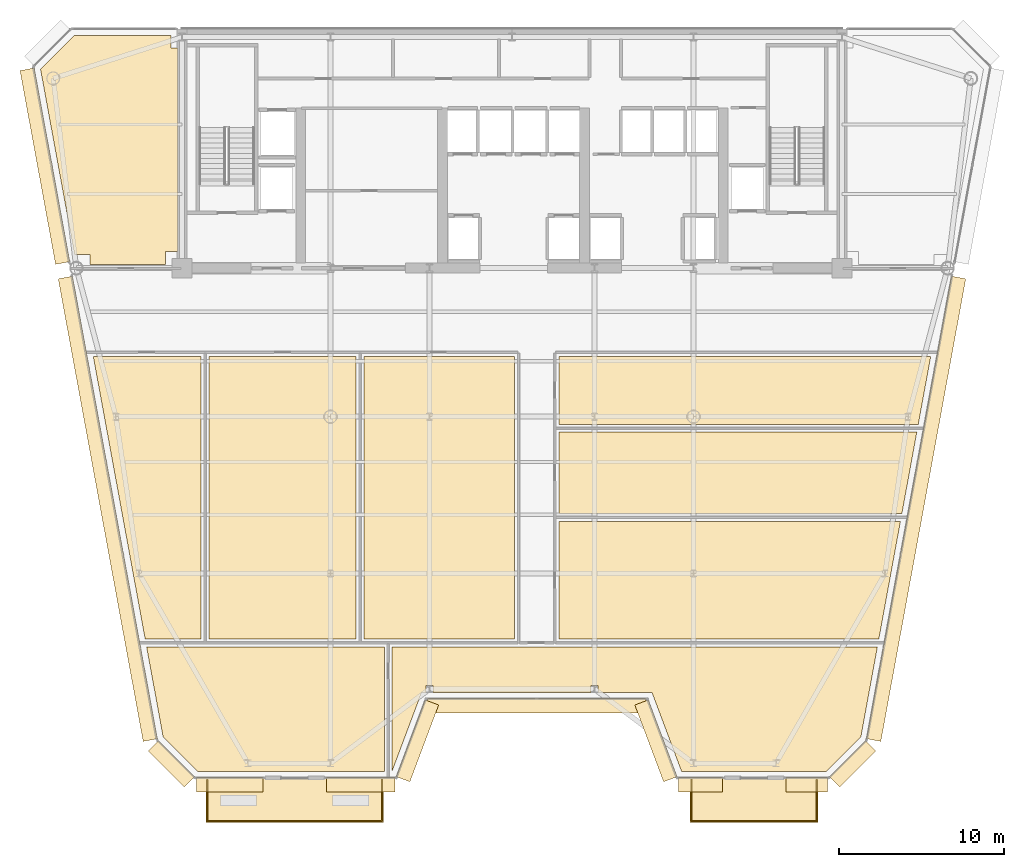
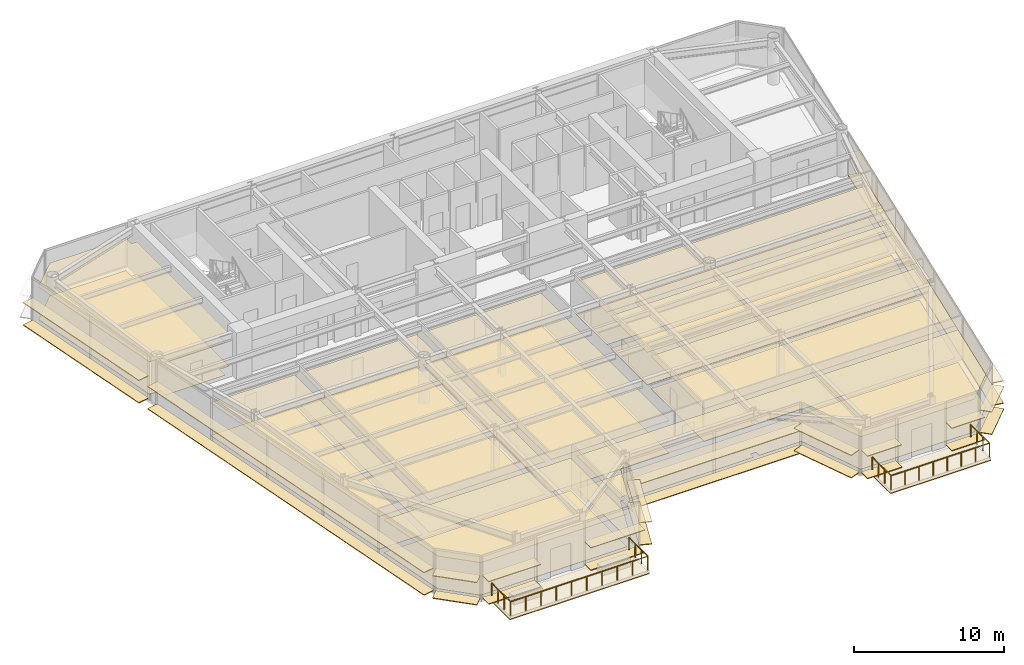
# One storey, part 14 of 17: 44 coverings, 2 railings.
"""IFC4 building model written with IfcOpenShell, lengths in metres."""

from ifc_helpers import new_model, si_unit, direction, frame, origin, origin_2d, place, context, subcontext, project, spatial, polyline, rectangle, circle, outline, extrude, source, transform, mapped, material, layer, layer_set, type_object, element, save


model = new_model("IFC4")

# Units and contexts
model_context = context("Model", 3, precision=1e-05, world=origin(), true_north=direction((0.0, 1.0)))
body_context = subcontext(model_context, "Body", "Model", "MODEL_VIEW")
ifc_project = project(units=[si_unit("LENGTHUNIT", "METRE"), si_unit("AREAUNIT", "SQUARE_METRE"), si_unit("VOLUMEUNIT", "CUBIC_METRE"), si_unit("PLANEANGLEUNIT", "RADIAN"), si_unit("MASSUNIT", "GRAM", prefix="KILO")], contexts=[model_context])

# Site, building, storey
site_placement = place(None, origin())
site = spatial("IfcSite", under=ifc_project, at=site_placement, CompositionType="ELEMENT")
building_placement = place(site_placement, origin())
building = spatial("IfcBuilding", under=site, at=building_placement, Name="Vaeldorn Concourse Tower", CompositionType="ELEMENT")
storey_placement = place(building_placement, frame((0.0, 0.0, 180.39990234375)))
storey = spatial("IfcBuildingStorey", under=building, at=storey_placement, Name="L46", CompositionType="ELEMENT", Elevation=180.39990234375)

# Coverings
ifc_material_1 = material(Name="Acoustic Mineral Fibre Board", Category="gypsum")
ifc_layer_1 = layer(ifc_material_1, 0.0400390625)
ifc_layer_set_1 = layer_set([ifc_layer_1], Name="Acoustic Mineral Fibre Board")
covering_type_1 = type_object("IfcCoveringType", Name="COV-CEIL-ACOUSTIC", PredefinedType="CEILING", material=ifc_layer_set_1)
covering_1_placement = place(storey_placement, frame((0.0, 0.0, 2.650146484375)))
element("IfcCovering", 1, at=covering_1_placement, inside=storey, type_object=covering_type_1, Name="Suspended Acoustic Ceiling L46-3", PredefinedType="CEILING", context=body_context, shape_type="SweptSolid", body=[
    extrude(outline(polyline([(7.4658203125, 50.60009765625), (13.340087890625, 50.60009765625), (13.340087890625, 49.840087890625), (13.760009765625, 49.840087890625), (13.760009765625, 37.5), (13.0, 37.5), (13.0, 36.719970703125), (8.419921875, 36.719970703125), (8.419921875, 37.320068359375), (7.49609375, 37.320068359375), (5.431396484375, 48.565673828125), (7.4658203125, 50.60009765625)])), origin(), (0.0, 0.0, 1.0), 0.0400390625),
])
covering_2_placement = place(storey_placement, frame((0.0, 0.0, 2.650146484375)))
element("IfcCovering", 2, at=covering_2_placement, inside=storey, type_object=covering_type_1, Name="Suspended Acoustic Ceiling L46-5", PredefinedType="CEILING", context=body_context, shape_type="SweptSolid", body=[
    extrude(outline(polyline([(26.260009765625, 13.56005859375), (26.260009765625, 6.0), (14.956787109375, 6.0), (12.86181640625, 8.0947265625), (11.8583984375, 13.56005859375), (26.260009765625, 13.56005859375)])), origin(), (0.0, 0.0, 1.0), 0.0400390625),
])
covering_3_placement = place(storey_placement, frame((0.0, 0.0, 2.650146484375)))
element("IfcCovering", 3, at=covering_3_placement, inside=storey, type_object=covering_type_1, Name="Suspended Acoustic Ceiling L46-6", PredefinedType="CEILING", context=body_context, shape_type="SweptSolid", body=[
    extrude(outline(polyline([(26.739990234375, 13.56005859375), (56.1416015625, 13.56005859375), (55.13818359375, 8.0947265625), (53.043212890625, 6.0), (44.277099609375, 6.0), (42.477294921875, 10.800048828125), (39.2060546875, 10.800048828125), (39.2060546875, 11.217529296875), (38.7939453125, 11.217529296875), (38.7939453125, 10.800048828125), (29.2060546875, 10.800048828125), (29.2060546875, 11.217529296875), (28.7939453125, 11.217529296875), (28.7939453125, 10.800048828125), (28.522705078125, 10.800048828125), (26.739990234375, 6.0458984375), (26.739990234375, 13.56005859375)])), origin(), (0.0, 0.0, 1.0), 0.0400390625),
])
covering_4_placement = place(storey_placement, frame((0.0, 0.0, 2.650146484375)))
element("IfcCovering", 4, at=covering_4_placement, inside=storey, type_object=covering_type_1, Name="Suspended Acoustic Ceiling L46-7", PredefinedType="CEILING", context=body_context, shape_type="SweptSolid", body=[
    extrude(outline(polyline([(15.159912109375, 31.159912109375), (15.159912109375, 14.0400390625), (11.7705078125, 14.0400390625), (11.16455078125, 17.340087890625), (11.16455078125, 17.340087890625), (8.627197265625, 31.159912109375), (15.159912109375, 31.159912109375)])), origin(), (0.0, 0.0, 1.0), 0.0400390625),
])
covering_5_placement = place(storey_placement, frame((0.0, 0.0, 2.650146484375)))
element("IfcCovering", 5, at=covering_5_placement, inside=storey, type_object=covering_type_1, Name="Suspended Acoustic Ceiling L46-8", PredefinedType="CEILING", context=body_context, shape_type="SweptSolid", body=[
    extrude(outline(polyline([(15.639892578125, 31.159912109375), (24.56005859375, 31.159912109375), (24.56005859375, 14.0400390625), (15.639892578125, 14.0400390625), (15.639892578125, 31.159912109375)])), origin(), (0.0, 0.0, 1.0), 0.0400390625),
])
covering_6_placement = place(storey_placement, frame((0.0, 0.0, 2.650146484375)))
element("IfcCovering", 6, at=covering_6_placement, inside=storey, type_object=covering_type_1, Name="Suspended Acoustic Ceiling L46-9", PredefinedType="CEILING", context=body_context, shape_type="SweptSolid", body=[
    extrude(outline(polyline([(25.0400390625, 31.159912109375), (34.159912109375, 31.159912109375), (34.159912109375, 14.0400390625), (25.0400390625, 14.0400390625), (25.0400390625, 31.159912109375)])), origin(), (0.0, 0.0, 1.0), 0.0400390625),
])
covering_7_placement = place(storey_placement, frame((0.0, 0.0, 2.650146484375)))
element("IfcCovering", 7, at=covering_7_placement, inside=storey, type_object=covering_type_1, Name="Suspended Acoustic Ceiling L46-10", PredefinedType="CEILING", context=body_context, shape_type="SweptSolid", body=[
    extrude(outline(polyline([(36.840087890625, 14.0400390625), (36.840087890625, 21.159912109375), (57.536865234375, 21.159912109375), (57.015380859375, 18.31982421875), (56.62890625, 16.21484375), (56.461181640625, 15.301025390625), (56.461181640625, 15.301025390625), (56.2294921875, 14.0400390625), (36.840087890625, 14.0400390625)])), origin(), (0.0, 0.0, 1.0), 0.0400390625),
])
covering_8_placement = place(storey_placement, frame((0.0, 0.0, 2.650146484375)))
element("IfcCovering", 8, at=covering_8_placement, inside=storey, type_object=covering_type_1, Name="Suspended Acoustic Ceiling L46-11", PredefinedType="CEILING", context=body_context, shape_type="SweptSolid", body=[
    extrude(outline(polyline([(36.840087890625, 21.639892578125), (36.840087890625, 26.56005859375), (58.5283203125, 26.56005859375), (57.625, 21.639892578125), (36.840087890625, 21.639892578125)])), origin(), (0.0, 0.0, 1.0), 0.0400390625),
])
covering_9_placement = place(storey_placement, frame((0.0, 0.0, 2.650146484375)))
element("IfcCovering", 9, at=covering_9_placement, inside=storey, type_object=covering_type_1, Name="Suspended Acoustic Ceiling L46-12", PredefinedType="CEILING", context=body_context, shape_type="SweptSolid", body=[
    extrude(outline(polyline([(36.840087890625, 31.159912109375), (59.372802734375, 31.159912109375), (58.616455078125, 27.0400390625), (36.840087890625, 27.0400390625), (36.840087890625, 31.159912109375)])), origin(), (0.0, 0.0, 1.0), 0.0400390625),
])
ifc_material_2 = material(Name="Honed Limestone Terrazzo Flooring", Category="masonry")
ifc_layer_2 = layer(ifc_material_2, 0.0400390625)
ifc_layer_set_2 = layer_set([ifc_layer_2], Name="Honed Limestone Terrazzo Flooring")
covering_type_2 = type_object("IfcCoveringType", Name="COV-FLOOR-STONE", PredefinedType="FLOORING", material=ifc_layer_set_2)
covering_10_placement = place(storey_placement, origin())
element("IfcCovering", 10, at=covering_10_placement, inside=storey, type_object=covering_type_2, Name="Floor Finish Covering L46-3", PredefinedType="FLOORING", context=body_context, shape_type="SweptSolid", body=[
    extrude(outline(polyline([(7.4658203125, 50.60009765625), (13.340087890625, 50.60009765625), (13.340087890625, 49.840087890625), (13.760009765625, 49.840087890625), (13.760009765625, 37.5), (13.0, 37.5), (13.0, 36.719970703125), (8.419921875, 36.719970703125), (8.419921875, 37.320068359375), (7.49609375, 37.320068359375), (5.431396484375, 48.565673828125), (7.4658203125, 50.60009765625)])), origin(), (0.0, 0.0, 1.0), 0.030029296875),
])
covering_11_placement = place(storey_placement, origin())
element("IfcCovering", 11, at=covering_11_placement, inside=storey, type_object=covering_type_2, Name="Floor Finish Covering L46-5", PredefinedType="FLOORING", context=body_context, shape_type="SweptSolid", body=[
    extrude(outline(polyline([(26.260009765625, 13.56005859375), (26.260009765625, 6.0), (14.956787109375, 6.0), (12.86181640625, 8.0947265625), (11.8583984375, 13.56005859375), (26.260009765625, 13.56005859375)])), origin(), (0.0, 0.0, 1.0), 0.030029296875),
])
covering_12_placement = place(storey_placement, origin())
element("IfcCovering", 12, at=covering_12_placement, inside=storey, type_object=covering_type_2, Name="Floor Finish Covering L46-6", PredefinedType="FLOORING", context=body_context, shape_type="SweptSolid", body=[
    extrude(outline(polyline([(26.739990234375, 13.56005859375), (56.1416015625, 13.56005859375), (55.13818359375, 8.0947265625), (53.043212890625, 6.0), (44.277099609375, 6.0), (42.477294921875, 10.800048828125), (39.2060546875, 10.800048828125), (39.2060546875, 11.217529296875), (38.7939453125, 11.217529296875), (38.7939453125, 10.800048828125), (29.2060546875, 10.800048828125), (29.2060546875, 11.217529296875), (28.7939453125, 11.217529296875), (28.7939453125, 10.800048828125), (28.522705078125, 10.800048828125), (26.739990234375, 6.0458984375), (26.739990234375, 13.56005859375)])), origin(), (0.0, 0.0, 1.0), 0.030029296875),
])
covering_13_placement = place(storey_placement, origin())
element("IfcCovering", 13, at=covering_13_placement, inside=storey, type_object=covering_type_2, Name="Floor Finish Covering L46-7", PredefinedType="FLOORING", context=body_context, shape_type="SweptSolid", body=[
    extrude(outline(polyline([(15.159912109375, 31.159912109375), (15.159912109375, 14.0400390625), (11.7705078125, 14.0400390625), (11.16455078125, 17.340087890625), (11.16455078125, 17.340087890625), (8.627197265625, 31.159912109375), (15.159912109375, 31.159912109375)])), origin(), (0.0, 0.0, 1.0), 0.030029296875),
])
covering_14_placement = place(storey_placement, origin())
element("IfcCovering", 14, at=covering_14_placement, inside=storey, type_object=covering_type_2, Name="Floor Finish Covering L46-8", PredefinedType="FLOORING", context=body_context, shape_type="SweptSolid", body=[
    extrude(outline(polyline([(15.639892578125, 31.159912109375), (24.56005859375, 31.159912109375), (24.56005859375, 14.0400390625), (15.639892578125, 14.0400390625), (15.639892578125, 31.159912109375)])), origin(), (0.0, 0.0, 1.0), 0.030029296875),
])
covering_15_placement = place(storey_placement, origin())
element("IfcCovering", 15, at=covering_15_placement, inside=storey, type_object=covering_type_2, Name="Floor Finish Covering L46-9", PredefinedType="FLOORING", context=body_context, shape_type="SweptSolid", body=[
    extrude(outline(polyline([(25.0400390625, 31.159912109375), (34.159912109375, 31.159912109375), (34.159912109375, 14.0400390625), (25.0400390625, 14.0400390625), (25.0400390625, 31.159912109375)])), origin(), (0.0, 0.0, 1.0), 0.030029296875),
])
covering_16_placement = place(storey_placement, origin())
element("IfcCovering", 16, at=covering_16_placement, inside=storey, type_object=covering_type_2, Name="Floor Finish Covering L46-10", PredefinedType="FLOORING", context=body_context, shape_type="SweptSolid", body=[
    extrude(outline(polyline([(36.840087890625, 14.0400390625), (36.840087890625, 21.159912109375), (57.536865234375, 21.159912109375), (57.015380859375, 18.31982421875), (56.62890625, 16.21484375), (56.461181640625, 15.301025390625), (56.461181640625, 15.301025390625), (56.2294921875, 14.0400390625), (36.840087890625, 14.0400390625)])), origin(), (0.0, 0.0, 1.0), 0.030029296875),
])
covering_17_placement = place(storey_placement, origin())
element("IfcCovering", 17, at=covering_17_placement, inside=storey, type_object=covering_type_2, Name="Floor Finish Covering L46-11", PredefinedType="FLOORING", context=body_context, shape_type="SweptSolid", body=[
    extrude(outline(polyline([(36.840087890625, 21.639892578125), (36.840087890625, 26.56005859375), (58.5283203125, 26.56005859375), (57.625, 21.639892578125), (36.840087890625, 21.639892578125)])), origin(), (0.0, 0.0, 1.0), 0.030029296875),
])
covering_18_placement = place(storey_placement, origin())
element("IfcCovering", 18, at=covering_18_placement, inside=storey, type_object=covering_type_2, Name="Floor Finish Covering L46-12", PredefinedType="FLOORING", context=body_context, shape_type="SweptSolid", body=[
    extrude(outline(polyline([(36.840087890625, 31.159912109375), (59.372802734375, 31.159912109375), (58.616455078125, 27.0400390625), (36.840087890625, 27.0400390625), (36.840087890625, 31.159912109375)])), origin(), (0.0, 0.0, 1.0), 0.030029296875),
])
ifc_material_3 = material(Name="EPDM Waterproof Membrane and Insulation", Category="plastic")
ifc_layer_3 = layer(ifc_material_3, 0.080078125)
ifc_layer_set_3 = layer_set([ifc_layer_3], Name="EPDM Waterproof Membrane and Insulation")
covering_type_3 = type_object("IfcCoveringType", Name="COV-ROOFING-EPDM", PredefinedType="ROOFING", material=ifc_layer_set_3)
covering_19_placement = place(storey_placement, frame((0.0, 0.0, -0.2998046875)))
element("IfcCovering", 19, at=covering_19_placement, inside=storey, type_object=covering_type_3, Name="Sky Garden Waterproofing Membrane L46-1", PredefinedType="ROOFING", context=body_context, shape_type="SweptSolid", body=[
    extrude(outline(polyline([(15.452880859375, 2.919921875), (26.199951171875, 2.919921875), (26.199951171875, 5.580078125), (15.452880859375, 5.580078125), (15.452880859375, 2.919921875)])), origin(), (0.0, 0.0, 1.0), 0.079833984375),
])
covering_20_placement = place(storey_placement, frame((0.0, 0.0, -0.2998046875)))
element("IfcCovering", 20, at=covering_20_placement, inside=storey, type_object=covering_type_3, Name="Sky Garden Waterproofing Membrane L46-2", PredefinedType="ROOFING", context=body_context, shape_type="SweptSolid", body=[
    extrude(outline(polyline([(44.800048828125, 2.919921875), (52.547119140625, 2.919921875), (52.547119140625, 5.580078125), (44.800048828125, 5.580078125), (44.800048828125, 2.919921875)])), origin(), (0.0, 0.0, 1.0), 0.079833984375),
])

# Railings
ifc_material_4 = material(Name="Anodised Bronze Aluminium", Category="aluminium")
railing_type = type_object("IfcRailingType", Name="RL-BALUSTRADE-1150", PredefinedType="BALUSTRADE", material=ifc_material_4)
railing_1_placement = place(storey_placement, frame((15.532958984375, 5.5, 0.0)))
element("IfcRailing", 21, at=railing_1_placement, inside=storey, type_object=railing_type, Name="Sawtooth Sky Garden Balustrade L46-1", PredefinedType="BALUSTRADE", context=body_context, shape_type="SweptSolid", body=[
    extrude(circle(Radius=0.02392578125, at=origin_2d()), frame((0.0, 0.0, 1.1259765625), z_axis=(0.0, -1.0, 0.0), x_axis=(1.0, 0.0, 0.0)), (0.0, 0.0, 1.0), 2.5),
    extrude(circle(Radius=0.02392578125, at=origin_2d()), frame((0.0, -2.5, 1.1259765625), z_axis=(1.0, 0.0, 0.0), x_axis=(0.0, 1.0, 0.0)), (0.0, 0.0, 1.0), 10.587158203125),
    extrude(circle(Radius=0.02392578125, at=origin_2d()), frame((10.587158203125, -2.5, 1.1259765625), z_axis=(0.0, 1.0, 0.0), x_axis=(-1.0, 0.0, 0.0)), (0.0, 0.0, 1.0), 2.5),
    extrude(circle(Radius=0.02099609375, at=origin_2d()), origin(), (0.0, 0.0, 1.0), 1.101806640625),
    extrude(circle(Radius=0.02099609375, at=origin_2d()), frame((0.0, -0.833251953125, 0.0)), (0.0, 0.0, 1.0), 1.101806640625),
    extrude(circle(Radius=0.02099609375, at=origin_2d()), frame((0.0, -1.666748046875, 0.0)), (0.0, 0.0, 1.0), 1.101806640625),
    extrude(circle(Radius=0.02099609375, at=origin_2d()), frame((0.0, -2.5, 0.0)), (0.0, 0.0, 1.0), 1.101806640625),
    extrude(circle(Radius=0.02099609375, at=origin_2d()), frame((1.17626953125, -2.5, 0.0)), (0.0, 0.0, 1.0), 1.101806640625),
    extrude(circle(Radius=0.02099609375, at=origin_2d()), frame((2.352783203125, -2.5, 0.0)), (0.0, 0.0, 1.0), 1.101806640625),
    extrude(circle(Radius=0.02099609375, at=origin_2d()), frame((3.529052734375, -2.5, 0.0)), (0.0, 0.0, 1.0), 1.101806640625),
    extrude(circle(Radius=0.02099609375, at=origin_2d()), frame((4.705322265625, -2.5, 0.0)), (0.0, 0.0, 1.0), 1.101806640625),
    extrude(circle(Radius=0.02099609375, at=origin_2d()), frame((5.8818359375, -2.5, 0.0)), (0.0, 0.0, 1.0), 1.101806640625),
    extrude(circle(Radius=0.02099609375, at=origin_2d()), frame((7.05810546875, -2.5, 0.0)), (0.0, 0.0, 1.0), 1.101806640625),
    extrude(circle(Radius=0.02099609375, at=origin_2d()), frame((8.234375, -2.5, 0.0)), (0.0, 0.0, 1.0), 1.101806640625),
    extrude(circle(Radius=0.02099609375, at=origin_2d()), frame((9.410888671875, -2.5, 0.0)), (0.0, 0.0, 1.0), 1.101806640625),
    extrude(circle(Radius=0.02099609375, at=origin_2d()), frame((10.587158203125, -2.5, 0.0)), (0.0, 0.0, 1.0), 1.101806640625),
    extrude(circle(Radius=0.02099609375, at=origin_2d()), frame((10.587158203125, -1.666748046875, 0.0)), (0.0, 0.0, 1.0), 1.101806640625),
    extrude(circle(Radius=0.02099609375, at=origin_2d()), frame((10.587158203125, -0.833251953125, 0.0)), (0.0, 0.0, 1.0), 1.101806640625),
    extrude(circle(Radius=0.02099609375, at=origin_2d()), frame((10.587158203125, 0.0, 0.0)), (0.0, 0.0, 1.0), 1.101806640625),
])
railing_2_placement = place(storey_placement, frame((44.8798828125, 5.5, 0.0)))
element("IfcRailing", 22, at=railing_2_placement, inside=storey, type_object=railing_type, Name="Sawtooth Sky Garden Balustrade L46-2", PredefinedType="BALUSTRADE", context=body_context, shape_type="SweptSolid", body=[
    extrude(circle(Radius=0.02392578125, at=origin_2d()), frame((0.0, 0.0, 1.1259765625), z_axis=(0.0, -1.0, 0.0), x_axis=(1.0, 0.0, 0.0)), (0.0, 0.0, 1.0), 2.5),
    extrude(circle(Radius=0.02392578125, at=origin_2d()), frame((0.0, -2.5, 1.1259765625), z_axis=(1.0, 0.0, 0.0), x_axis=(0.0, 1.0, 0.0)), (0.0, 0.0, 1.0), 7.587158203125),
    extrude(circle(Radius=0.02392578125, at=origin_2d()), frame((7.587158203125, -2.5, 1.1259765625), z_axis=(0.0, 1.0, 0.0), x_axis=(-1.0, 0.0, 0.0)), (0.0, 0.0, 1.0), 2.5),
    extrude(circle(Radius=0.02099609375, at=origin_2d()), origin(), (0.0, 0.0, 1.0), 1.101806640625),
    extrude(circle(Radius=0.02099609375, at=origin_2d()), frame((0.0, -0.833251953125, 0.0)), (0.0, 0.0, 1.0), 1.101806640625),
    extrude(circle(Radius=0.02099609375, at=origin_2d()), frame((0.0, -1.666748046875, 0.0)), (0.0, 0.0, 1.0), 1.101806640625),
    extrude(circle(Radius=0.02099609375, at=origin_2d()), frame((0.0, -2.5, 0.0)), (0.0, 0.0, 1.0), 1.101806640625),
    extrude(circle(Radius=0.02099609375, at=origin_2d()), frame((1.083984375, -2.5, 0.0)), (0.0, 0.0, 1.0), 1.101806640625),
    extrude(circle(Radius=0.02099609375, at=origin_2d()), frame((2.167724609375, -2.5, 0.0)), (0.0, 0.0, 1.0), 1.101806640625),
    extrude(circle(Radius=0.02099609375, at=origin_2d()), frame((3.251708984375, -2.5, 0.0)), (0.0, 0.0, 1.0), 1.101806640625),
    extrude(circle(Radius=0.02099609375, at=origin_2d()), frame((4.33544921875, -2.5, 0.0)), (0.0, 0.0, 1.0), 1.101806640625),
    extrude(circle(Radius=0.02099609375, at=origin_2d()), frame((5.41943359375, -2.5, 0.0)), (0.0, 0.0, 1.0), 1.101806640625),
    extrude(circle(Radius=0.02099609375, at=origin_2d()), frame((6.503173828125, -2.5, 0.0)), (0.0, 0.0, 1.0), 1.101806640625),
    extrude(circle(Radius=0.02099609375, at=origin_2d()), frame((7.587158203125, -2.5, 0.0)), (0.0, 0.0, 1.0), 1.101806640625),
    extrude(circle(Radius=0.02099609375, at=origin_2d()), frame((7.587158203125, -1.666748046875, 0.0)), (0.0, 0.0, 1.0), 1.101806640625),
    extrude(circle(Radius=0.02099609375, at=origin_2d()), frame((7.587158203125, -0.833251953125, 0.0)), (0.0, 0.0, 1.0), 1.101806640625),
    extrude(circle(Radius=0.02099609375, at=origin_2d()), frame((7.587158203125, 0.0, 0.0)), (0.0, 0.0, 1.0), 1.101806640625),
])

# Coverings
ifc_layer_4 = layer(ifc_material_4, 0.06494140625)
ifc_layer_set_4 = layer_set([ifc_layer_4], Name="Anodised Bronze Aluminium")
covering_type_4 = type_object("IfcCoveringType", Name="SD-BRONZE-SUNSHADE", PredefinedType="USERDEFINED", material=ifc_layer_set_4)
shared_shape_1 = source(origin(), body_context, "Body", "SweptSolid", [
    extrude(rectangle(XDim=4.96630859375, YDim=0.8798828125, at=origin_2d()), origin(), (0.0, 0.0, 1.0), 0.06494140625),
])
for number, where, z_axis, x_axis, name in (
    (23, (28.2744140625, 7.859619140625, 0.047607421875), (0.0, 0.0, 1.0), (0.351122702609, 0.936329454686, 0.0), "Horizontal Bronze Sunshade L46-E02.1.1"),
    (24, (28.2744140625, 7.859619140625, 1.86767578125), (0.0, 0.0, 1.0), (0.351122702609, 0.936329454686, 0.0), "Horizontal Bronze Sunshade L46-E02.1.2"),
    (25, (42.7255859375, 7.859619140625, 0.047607421875), (0.0, 0.0, 1.0), (0.351122702609, -0.936329454686, 0.0), "Horizontal Bronze Sunshade L46-E04.1.1"),
    (26, (42.7255859375, 7.859619140625, 1.86767578125), (0.0, 0.0, 1.0), (0.351122702609, -0.936329454686, 0.0), "Horizontal Bronze Sunshade L46-E04.1.2"),
):
    element("IfcCovering", number, at=place(storey_placement, frame(where, z_axis=z_axis, x_axis=x_axis)), inside=storey, type_object=covering_type_4, Name=name, ObjectType="SUNSHADE", PredefinedType="USERDEFINED", context=body_context, shape_type="MappedRepresentation", body=[
        mapped(shared_shape_1, transform((0.0, 0.0, 0.0), scale=1.0)),
    ])
shared_shape_2 = source(origin(), body_context, "Body", "SweptSolid", [
    extrude(rectangle(XDim=13.239990234375, YDim=0.8798828125, at=origin_2d()), origin(), (0.0, 0.0, 1.0), 0.06494140625),
])
for number, where, z_axis, x_axis, name in (
    (27, (35.5, 10.0, 0.047607421875), (0.0, 0.0, 1.0), (1.0, 0.0, 0.0), "Horizontal Bronze Sunshade L46-E03.1.1"),
    (28, (35.5, 10.0, 1.86767578125), (0.0, 0.0, 1.0), (1.0, 0.0, 0.0), "Horizontal Bronze Sunshade L46-E03.1.2"),
):
    element("IfcCovering", number, at=place(storey_placement, frame(where, z_axis=z_axis, x_axis=x_axis)), inside=storey, type_object=covering_type_4, Name=name, ObjectType="SUNSHADE", PredefinedType="USERDEFINED", context=body_context, shape_type="MappedRepresentation", body=[
        mapped(shared_shape_2, transform((0.0, 0.0, 0.0), scale=1.0)),
    ])
shared_shape_3 = source(origin(), body_context, "Body", "SweptSolid", [
    extrude(rectangle(XDim=3.0927734375, YDim=0.8798828125, at=origin_2d()), origin(), (0.0, 0.0, 1.0), 0.06494140625),
])
for number, where, z_axis, x_axis, name in (
    (29, (54.641845703125, 6.46728515625, 0.047607421875), (0.0, 0.0, 1.0), (0.707106781187, 0.707106781187, 0.0), "Horizontal Bronze Sunshade L46-E06.1.1"),
    (30, (54.641845703125, 6.46728515625, 1.86767578125), (0.0, 0.0, 1.0), (0.707106781187, 0.707106781187, 0.0), "Horizontal Bronze Sunshade L46-E06.1.2"),
    (31, (13.358154296875, 6.46728515625, 0.047607421875), (0.0, 0.0, 1.0), (0.707106781187, -0.707106781187, 0.0), "Horizontal Bronze Sunshade L46-E12.1.1"),
    (32, (13.358154296875, 6.46728515625, 1.86767578125), (0.0, 0.0, 1.0), (0.707106781187, -0.707106781187, 0.0), "Horizontal Bronze Sunshade L46-E12.1.2"),
):
    element("IfcCovering", number, at=place(storey_placement, frame(where, z_axis=z_axis, x_axis=x_axis)), inside=storey, type_object=covering_type_4, Name=name, ObjectType="SUNSHADE", PredefinedType="USERDEFINED", context=body_context, shape_type="MappedRepresentation", body=[
        mapped(shared_shape_3, transform((0.0, 0.0, 0.0), scale=1.0)),
    ])
shared_shape_4 = source(origin(), body_context, "Body", "SweptSolid", [
    extrude(rectangle(XDim=4.0390625, YDim=0.8798828125, at=origin_2d()), origin(), (0.0, 0.0, 1.0), 0.06494140625),
])
for number, where, z_axis, x_axis, name in (
    (33, (16.890380859375, 5.199951171875, 0.047607421875), (0.0, 0.0, 1.0), (1.0, 0.0, 0.0), "Horizontal Bronze Sunshade L46-E01.1.1"),
    (34, (16.890380859375, 5.199951171875, 1.86767578125), (0.0, 0.0, 1.0), (1.0, 0.0, 0.0), "Horizontal Bronze Sunshade L46-E01.1.2"),
):
    element("IfcCovering", number, at=place(storey_placement, frame(where, z_axis=z_axis, x_axis=x_axis)), inside=storey, type_object=covering_type_4, Name=name, ObjectType="SUNSHADE", PredefinedType="USERDEFINED", context=body_context, shape_type="MappedRepresentation", body=[
        mapped(shared_shape_4, transform((0.0, 0.0, 0.0), scale=1.0)),
    ])
shared_shape_5 = source(origin(), body_context, "Body", "SweptSolid", [
    extrude(rectangle(XDim=4.169921875, YDim=0.8798828125, at=origin_2d()), origin(), (0.0, 0.0, 1.0), 0.06494140625),
])
for number, where, z_axis, x_axis, name in (
    (35, (24.8349609375, 5.199951171875, 0.047607421875), (0.0, 0.0, 1.0), (1.0, 0.0, 0.0), "Horizontal Bronze Sunshade L46-E01.2.1"),
    (36, (24.8349609375, 5.199951171875, 1.86767578125), (0.0, 0.0, 1.0), (1.0, 0.0, 0.0), "Horizontal Bronze Sunshade L46-E01.2.2"),
):
    element("IfcCovering", number, at=place(storey_placement, frame(where, z_axis=z_axis, x_axis=x_axis)), inside=storey, type_object=covering_type_4, Name=name, ObjectType="SUNSHADE", PredefinedType="USERDEFINED", context=body_context, shape_type="MappedRepresentation", body=[
        mapped(shared_shape_5, transform((0.0, 0.0, 0.0), scale=1.0)),
    ])
shared_shape_6 = source(origin(), body_context, "Body", "SweptSolid", [
    extrude(rectangle(XDim=2.669921875, YDim=0.8798828125, at=origin_2d()), origin(), (0.0, 0.0, 1.0), 0.06494140625),
])
for number, where, z_axis, x_axis, name in (
    (37, (45.4150390625, 5.199951171875, 0.047607421875), (0.0, 0.0, 1.0), (1.0, 0.0, 0.0), "Horizontal Bronze Sunshade L46-E05.1.1"),
    (38, (45.4150390625, 5.199951171875, 1.86767578125), (0.0, 0.0, 1.0), (1.0, 0.0, 0.0), "Horizontal Bronze Sunshade L46-E05.1.2"),
):
    element("IfcCovering", number, at=place(storey_placement, frame(where, z_axis=z_axis, x_axis=x_axis)), inside=storey, type_object=covering_type_4, Name=name, ObjectType="SUNSHADE", PredefinedType="USERDEFINED", context=body_context, shape_type="MappedRepresentation", body=[
        mapped(shared_shape_6, transform((0.0, 0.0, 0.0), scale=1.0)),
    ])
shared_shape_7 = source(origin(), body_context, "Body", "SweptSolid", [
    extrude(rectangle(XDim=2.5390625, YDim=0.8798828125, at=origin_2d()), origin(), (0.0, 0.0, 1.0), 0.06494140625),
])
for number, where, z_axis, x_axis, name in (
    (39, (51.859619140625, 5.199951171875, 0.047607421875), (0.0, 0.0, 1.0), (1.0, 0.0, 0.0), "Horizontal Bronze Sunshade L46-E05.2.1"),
    (40, (51.859619140625, 5.199951171875, 1.86767578125), (0.0, 0.0, 1.0), (1.0, 0.0, 0.0), "Horizontal Bronze Sunshade L46-E05.2.2"),
):
    element("IfcCovering", number, at=place(storey_placement, frame(where, z_axis=z_axis, x_axis=x_axis)), inside=storey, type_object=covering_type_4, Name=name, ObjectType="SUNSHADE", PredefinedType="USERDEFINED", context=body_context, shape_type="MappedRepresentation", body=[
        mapped(shared_shape_7, transform((0.0, 0.0, 0.0), scale=1.0)),
    ])
shared_shape_8 = source(origin(), body_context, "Body", "SweptSolid", [
    extrude(rectangle(XDim=28.49462890625, YDim=0.8798828125, at=origin_2d()), origin(), (0.0, 0.0, 1.0), 0.06494140625),
])
for number, where, z_axis, x_axis, name in (
    (41, (58.48974609375, 21.91943359375, 0.047607421875), (0.0, 0.0, 1.0), (0.180587811053, 0.983558865803, 0.0), "Horizontal Bronze Sunshade L46-E07.1.1"),
    (42, (58.48974609375, 21.91943359375, 1.86767578125), (0.0, 0.0, 1.0), (0.180587811053, 0.983558865803, 0.0), "Horizontal Bronze Sunshade L46-E07.1.2"),
    (43, (9.51025390625, 21.91943359375, 0.047607421875), (0.0, 0.0, 1.0), (0.180587811053, -0.983558865803, 0.0), "Horizontal Bronze Sunshade L46-E11.2.1"),
    (44, (9.51025390625, 21.91943359375, 1.86767578125), (0.0, 0.0, 1.0), (0.180587811053, -0.983558865803, 0.0), "Horizontal Bronze Sunshade L46-E11.2.2"),
):
    element("IfcCovering", number, at=place(storey_placement, frame(where, z_axis=z_axis, x_axis=x_axis)), inside=storey, type_object=covering_type_4, Name=name, ObjectType="SUNSHADE", PredefinedType="USERDEFINED", context=body_context, shape_type="MappedRepresentation", body=[
        mapped(shared_shape_8, transform((0.0, 0.0, 0.0), scale=1.0)),
    ])
shared_shape_9 = source(origin(), body_context, "Body", "SweptSolid", [
    extrude(rectangle(XDim=11.931396484375, YDim=0.8798828125, at=origin_2d()), origin(), (0.0, 0.0, 1.0), 0.06494140625),
])
for number, where, z_axis, x_axis, name in (
    (45, (5.6982421875, 42.681396484375, 0.047607421875), (0.0, 0.0, 1.0), (0.180587811053, -0.983558865803, 0.0), "Horizontal Bronze Sunshade L46-E11.1.1"),
    (46, (5.6982421875, 42.681396484375, 1.86767578125), (0.0, 0.0, 1.0), (0.180587811053, -0.983558865803, 0.0), "Horizontal Bronze Sunshade L46-E11.1.2"),
):
    element("IfcCovering", number, at=place(storey_placement, frame(where, z_axis=z_axis, x_axis=x_axis)), inside=storey, type_object=covering_type_4, Name=name, ObjectType="SUNSHADE", PredefinedType="USERDEFINED", context=body_context, shape_type="MappedRepresentation", body=[
        mapped(shared_shape_9, transform((0.0, 0.0, 0.0), scale=1.0)),
    ])

save(model, "model.ifc")
